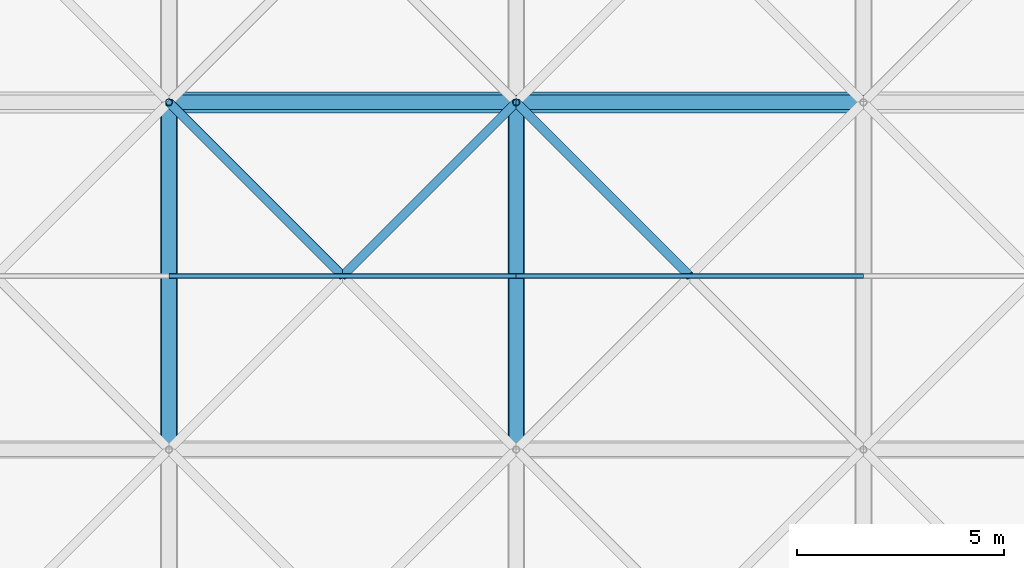
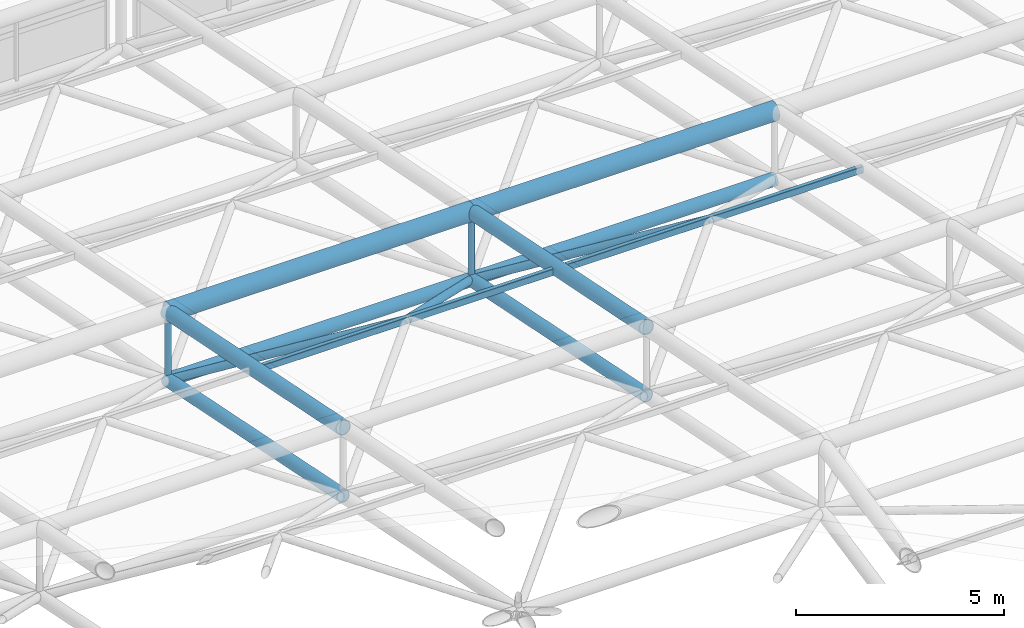
# One storey, part 42 of 81: 15 members.
"""IFC4 building model written with IfcOpenShell, lengths in metres."""

from ifc_helpers import new_model, si_unit, direction, frame, origin, origin_2d, place, context, subcontext, project, spatial, hollow_rectangle, hollow_circle, extrude, material, material_profile, profile_set, type_object, element, save


model = new_model("IFC4")

# Units and contexts
model_context = context("Model", 3, precision=1e-05, world=origin(), true_north=direction((0.0, 1.0)))
body_context = subcontext(model_context, "Body", "Model", "MODEL_VIEW")
ifc_project = project(units=[si_unit("LENGTHUNIT", "METRE"), si_unit("AREAUNIT", "SQUARE_METRE"), si_unit("VOLUMEUNIT", "CUBIC_METRE"), si_unit("PLANEANGLEUNIT", "RADIAN"), si_unit("MASSUNIT", "GRAM", prefix="KILO")], contexts=[model_context])

# Site, building, storey
site_placement = place(None, origin())
site = spatial("IfcSite", under=ifc_project, at=site_placement, CompositionType="ELEMENT")
building_placement = place(site_placement, origin())
building = spatial("IfcBuilding", under=site, at=building_placement, Name="Qawsi Khor Wholesale Market", CompositionType="ELEMENT")
storey_placement = place(building_placement, frame((0.0, 0.0, 16.199951171875)))
storey = spatial("IfcBuildingStorey", under=building, at=storey_placement, Name="L03", CompositionType="ELEMENT", Elevation=16.199951171875)

# Members
ifc_material = material(Name="Steel S355", Category="steel")
ifc_material_profile_1 = material_profile(ifc_material, hollow_circle(Radius=0.177734375, WallThickness=0.01611328125, at=origin_2d()), Name="CHS 355.6x16.0")
ifc_profile_set_1 = profile_set([ifc_material_profile_1], Name="Steel S355")
member_type_1 = type_object("IfcMemberType", Name="Space-Frame Bottom Chord CHS 355.6x16.0", PredefinedType="CHORD", material=ifc_profile_set_1)
member_1_placement = place(storey_placement, frame((33.60009765625, 84.0, 5.070068359375), z_axis=(0.0, 0.980129990483, -0.1983562496), x_axis=(-1.0, 0.0, 0.0)))
element("IfcMember", 1, at=member_1_placement, inside=storey, type_object=member_type_1, Name="Space frame bottom chord Y WH (4,10)", PredefinedType="CHORD", context=body_context, shape_type="SweptSolid", body=[
    extrude(hollow_circle(Radius=0.177734375, WallThickness=0.01611328125, at=origin_2d()), origin(), (0.0, 0.0, 1.0), 8.5703125),
])
member_2_placement = place(storey_placement, frame((33.60009765625, 92.39990234375, 3.3701171875), z_axis=(1.0, 0.0, 0.0), x_axis=(0.0, 1.0, 0.0)))
element("IfcMember", 2, at=member_2_placement, inside=storey, type_object=member_type_1, Name="Space frame bottom chord X WH (4,11)", PredefinedType="CHORD", context=body_context, shape_type="SweptSolid", body=[
    extrude(hollow_circle(Radius=0.177734375, WallThickness=0.01611328125, at=origin_2d()), origin(), (0.0, 0.0, 1.0), 8.39990234375),
])
member_3_placement = place(storey_placement, frame((42.0, 84.0, 5.070068359375), z_axis=(0.0, 0.980129990483, -0.1983562496), x_axis=(-1.0, 0.0, 0.0)))
element("IfcMember", 3, at=member_3_placement, inside=storey, type_object=member_type_1, Name="Space frame bottom chord Y WH (5,10)", PredefinedType="CHORD", context=body_context, shape_type="SweptSolid", body=[
    extrude(hollow_circle(Radius=0.177734375, WallThickness=0.01611328125, at=origin_2d()), origin(), (0.0, 0.0, 1.0), 8.5703125),
])
member_4_placement = place(storey_placement, frame((42.0, 92.39990234375, 3.3701171875), z_axis=(1.0, 0.0, 0.0), x_axis=(0.0, 1.0, 0.0)))
element("IfcMember", 4, at=member_4_placement, inside=storey, type_object=member_type_1, Name="Space frame bottom chord X WH (5,11)", PredefinedType="CHORD", context=body_context, shape_type="SweptSolid", body=[
    extrude(hollow_circle(Radius=0.177734375, WallThickness=0.01611328125, at=origin_2d()), origin(), (0.0, 0.0, 1.0), 8.39990234375),
])
ifc_material_profile_2 = material_profile(ifc_material, hollow_rectangle(XDim=0.1201171875, YDim=0.199951171875, WallThickness=0.008056640625, InnerFilletRadius=0.008056640625, OuterFilletRadius=0.01611328125, at=origin_2d()), Name="RHS 200x120x8.0")
ifc_profile_set_2 = profile_set([ifc_material_profile_2], Name="Steel S355")
member_type_2 = type_object("IfcMemberType", Name="Space-Frame Heavy Purlin RHS 200x120x8.0", PredefinedType="PURLIN", material=ifc_profile_set_2)
for number, where, z_axis, x_axis, name in (
    (5, (33.60009765625, 88.199951171875, 6.219970703125), (1.0, 0.0, 0.0), (0.0, 1.0, 0.0), "Space frame purlin WH (4,10)"),
    (6, (42.0, 88.199951171875, 6.219970703125), (1.0, 0.0, 0.0), (0.0, 1.0, 0.0), "Space frame purlin WH (5,10)"),
):
    element("IfcMember", number, at=place(storey_placement, frame(where, z_axis=z_axis, x_axis=x_axis)), inside=storey, type_object=member_type_2, Name=name, PredefinedType="PURLIN", context=body_context, shape_type="SweptSolid", body=[
        extrude(hollow_rectangle(XDim=0.1201171875, YDim=0.199951171875, WallThickness=0.008056640625, InnerFilletRadius=0.008056640625, OuterFilletRadius=0.01611328125, at=origin_2d()), origin(), (0.0, 0.0, 1.0), 8.39990234375),
    ])
ifc_material_profile_3 = material_profile(ifc_material, hollow_circle(Radius=0.109619140625, WallThickness=0.010009765625, at=origin_2d()), Name="CHS 219.1x10.0")
ifc_profile_set_3 = profile_set([ifc_material_profile_3], Name="Steel S355")
member_type_3 = type_object("IfcMemberType", Name="Space-Frame Inner Diagonal CHS 219.1x10.0", PredefinedType="RAFTER", material=ifc_profile_set_3)
for number, where, z_axis, x_axis, name in (
    (7, (42.0, 92.39990234375, 3.3701171875), (-0.637521961484, -0.637521961484, 0.432586982294), (0.707106781187, -0.707106781187, 0.0), "Space frame diagonal WH (4,10)-3"),
    (8, (33.60009765625, 92.39990234375, 3.3701171875), (0.637521961484, -0.637521961484, 0.432586982294), (0.707106781187, 0.707106781187, 0.0), "Space frame diagonal WH (4,10)-4"),
    (9, (42.0, 92.39990234375, 3.3701171875), (0.637521961484, -0.637521961484, 0.432586982294), (0.707106781187, 0.707106781187, 0.0), "Space frame diagonal WH (5,10)-4"),
):
    element("IfcMember", number, at=place(storey_placement, frame(where, z_axis=z_axis, x_axis=x_axis)), inside=storey, type_object=member_type_3, Name=name, PredefinedType="RAFTER", context=body_context, shape_type="SweptSolid", body=[
        extrude(hollow_circle(Radius=0.109619140625, WallThickness=0.010009765625, at=origin_2d()), origin(), (0.0, 0.0, 1.0), 6.587890625),
    ])
ifc_material_profile_4 = material_profile(ifc_material, hollow_circle(Radius=0.25390625, WallThickness=0.02490234375, at=origin_2d()), Name="CHS 508.0x25.0")
ifc_profile_set_4 = profile_set([ifc_material_profile_4], Name="Steel S355")
member_type_4 = type_object("IfcMemberType", Name="Space-Frame Main Chord CHS 508.0x25.0", PredefinedType="CHORD", material=ifc_profile_set_4)
for number, where, z_axis, x_axis, name in (
    (10, (33.60009765625, 92.39990234375, 5.3701171875), (1.0, 0.0, 0.0), (0.0, 1.0, 0.0), "Space frame top chord X WH (4,11)"),
    (11, (42.0, 92.39990234375, 5.3701171875), (1.0, 0.0, 0.0), (0.0, 1.0, 0.0), "Space frame top chord X WH (5,11)"),
):
    element("IfcMember", number, at=place(storey_placement, frame(where, z_axis=z_axis, x_axis=x_axis)), inside=storey, type_object=member_type_4, Name=name, PredefinedType="CHORD", context=body_context, shape_type="SweptSolid", body=[
        extrude(hollow_circle(Radius=0.25390625, WallThickness=0.02490234375, at=origin_2d()), origin(), (0.0, 0.0, 1.0), 8.39990234375),
    ])
ifc_material_profile_5 = material_profile(ifc_material, hollow_circle(Radius=0.203125, WallThickness=0.02001953125, at=origin_2d()), Name="CHS 406.4x20.0")
ifc_profile_set_5 = profile_set([ifc_material_profile_5], Name="Steel S355")
member_type_5 = type_object("IfcMemberType", Name="Space-Frame Top Chord CHS 406.4x20.0", PredefinedType="CHORD", material=ifc_profile_set_5)
for number, where, z_axis, x_axis, name in (
    (12, (33.60009765625, 84.0, 7.070068359375), (0.0, 0.980129990483, -0.1983562496), (-1.0, 0.0, 0.0), "Space frame top chord Y WH (4,10)"),
    (13, (42.0, 84.0, 7.070068359375), (0.0, 0.980129990483, -0.1983562496), (-1.0, 0.0, 0.0), "Space frame top chord Y WH (5,10)"),
):
    element("IfcMember", number, at=place(storey_placement, frame(where, z_axis=z_axis, x_axis=x_axis)), inside=storey, type_object=member_type_5, Name=name, PredefinedType="CHORD", context=body_context, shape_type="SweptSolid", body=[
        extrude(hollow_circle(Radius=0.203125, WallThickness=0.02001953125, at=origin_2d()), origin(), (0.0, 0.0, 1.0), 8.5703125),
    ])
ifc_material_profile_6 = material_profile(ifc_material, hollow_circle(Radius=0.084228515625, WallThickness=0.008056640625, at=origin_2d()), Name="CHS 168.3x8.0")
ifc_profile_set_6 = profile_set([ifc_material_profile_6], Name="Steel S355")
member_type_6 = type_object("IfcMemberType", Name="Space-Frame Vertical Strut CHS 168.3x8.0", PredefinedType="STRUT", material=ifc_profile_set_6)
for number, where, z_axis, x_axis, name in (
    (14, (33.60009765625, 92.39990234375, 3.3701171875), (0.0, 0.0, 1.0), (1.0, 0.0, 0.0), "Space frame post WH (4,11)"),
    (15, (42.0, 92.39990234375, 3.3701171875), (0.0, 0.0, 1.0), (1.0, 0.0, 0.0), "Space frame post WH (5,11)"),
):
    element("IfcMember", number, at=place(storey_placement, frame(where, z_axis=z_axis, x_axis=x_axis)), inside=storey, type_object=member_type_6, Name=name, PredefinedType="STRUT", context=body_context, shape_type="SweptSolid", body=[
        extrude(hollow_circle(Radius=0.084228515625, WallThickness=0.008056640625, at=origin_2d()), origin(), (0.0, 0.0, 1.0), 2.0),
    ])

save(model, "model.ifc")
